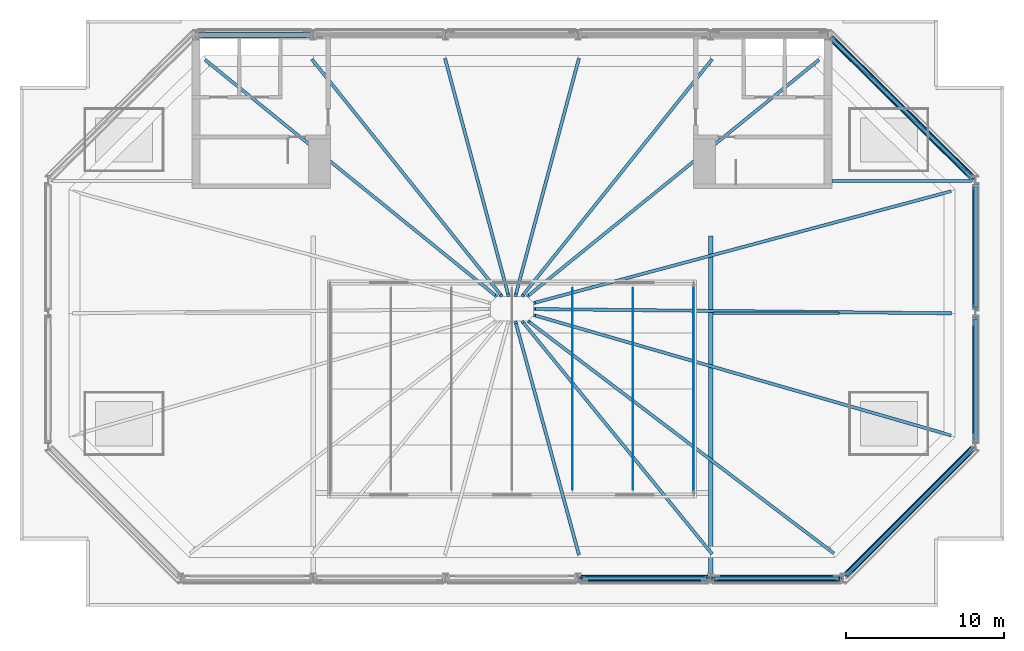
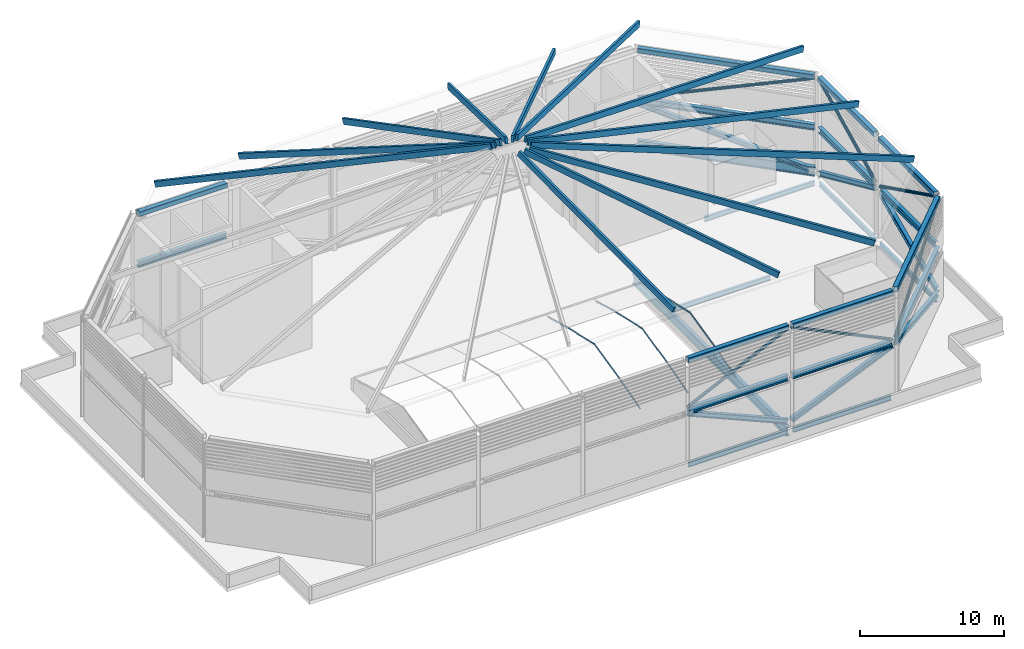
# One storey, part 4 of 22: 36 members, 22 beams, 2 elements without a shape of their own.
"""IFC4 building model written with IfcOpenShell, lengths in metres."""

from ifc_helpers import new_model, si_unit, direction, frame, origin, origin_2d, place, context, subcontext, project, spatial, rectangle, hollow_rectangle, hollow_circle, i_section, extrude, material, material_profile, profile_set, type_object, element, aggregate, save


model = new_model("IFC4")

# Units and contexts
model_context = context("Model", 3, precision=1e-05, world=origin(), true_north=direction((0.0, 1.0)))
body_context = subcontext(model_context, "Body", "Model", "MODEL_VIEW")
ifc_project = project(units=[si_unit("LENGTHUNIT", "METRE"), si_unit("AREAUNIT", "SQUARE_METRE"), si_unit("VOLUMEUNIT", "CUBIC_METRE"), si_unit("PLANEANGLEUNIT", "RADIAN"), si_unit("MASSUNIT", "GRAM", prefix="KILO")], contexts=[model_context])

# Site, building, storey
site_placement = place(None, origin())
site = spatial("IfcSite", under=ifc_project, at=site_placement, CompositionType="ELEMENT")
building_placement = place(site_placement, origin())
building = spatial("IfcBuilding", under=site, at=building_placement, Name="Saffron Gate Tower", CompositionType="ELEMENT")
storey_placement = place(building_placement, frame((0.0, 0.0, 314.85009765625)))
storey = spatial("IfcBuildingStorey", under=building, at=storey_placement, Name="Roof crown", CompositionType="ELEMENT", Elevation=314.85009765625)

# Beams
ifc_material_1 = material(Name="Structural steel S355", Category="steel")
ifc_material_profile_1 = material_profile(ifc_material_1, i_section(OverallWidth=0.300048828125, OverallDepth=0.7900390625, WebThickness=0.014892578125, FlangeThickness=0.028076171875, FilletRadius=0.030029296875, at=origin_2d()))
ifc_profile_set_1 = profile_set([ifc_material_profile_1], Name="Structural steel S355")
beam_type_1 = type_object("IfcBeamType", Name="B18 HEA 800", PredefinedType="BEAM", material=ifc_profile_set_1)
beam_1_placement = place(storey_placement, frame((100.199951171875, 40.449951171875, -0.695068359375), z_axis=(0.0, 1.0, 0.0), x_axis=(-1.0, 0.0, 0.0)))
element("IfcBeam", 1, at=beam_1_placement, inside=storey, type_object=beam_type_1, Name="B18 ATRIUM GIRDER", PredefinedType="BEAM", context=body_context, shape_type="SweptSolid", body=[
    extrude(i_section(OverallWidth=0.300048828125, OverallDepth=0.7900390625, WebThickness=0.014892578125, FlangeThickness=0.028076171875, FilletRadius=0.030029296875, at=origin_2d()), origin(), (0.0, 0.0, 1.0), 21.449951171875),
])
ifc_material_profile_2 = material_profile(ifc_material_1, i_section(OverallWidth=0.179931640625, OverallDepth=0.39990234375, WebThickness=0.008544921875, FlangeThickness=0.013427734375, FilletRadius=0.02099609375, at=origin_2d()))
ifc_profile_set_2 = profile_set([ifc_material_profile_2], Name="Structural steel S355")
beam_type_2 = type_object("IfcBeamType", Name="B4 IPE 400", PredefinedType="BEAM", material=ifc_profile_set_2)
beam_2_placement = place(storey_placement, frame((108.35009765625, 57.0, -0.5), z_axis=(-1.0, 0.0, 0.0), x_axis=(0.0, -1.0, 0.0)))
element("IfcBeam", 2, at=beam_2_placement, inside=storey, type_object=beam_type_2, Name="B4 CORE TIE BEAM", PredefinedType="BEAM", context=body_context, shape_type="SweptSolid", body=[
    extrude(i_section(OverallWidth=0.179931640625, OverallDepth=0.39990234375, WebThickness=0.008544921875, FlangeThickness=0.013427734375, FilletRadius=0.02099609375, at=origin_2d()), origin(), (0.0, 0.0, 1.0), 8.0),
])
beam_3_placement = place(storey_placement, frame((116.75, 65.39990234375, -0.5), z_axis=(-1.0, 0.0, 0.0), x_axis=(0.0, -1.0, 0.0)))
element("IfcBeam", 3, at=beam_3_placement, inside=storey, type_object=beam_type_2, Name="B4 CORE TIE BEAM", PredefinedType="BEAM", context=body_context, shape_type="SweptSolid", body=[
    extrude(i_section(OverallWidth=0.179931640625, OverallDepth=0.39990234375, WebThickness=0.008544921875, FlangeThickness=0.013427734375, FilletRadius=0.02099609375, at=origin_2d()), origin(), (0.0, 0.0, 1.0), 8.85009765625),
])
ifc_material_profile_3 = material_profile(ifc_material_1, i_section(OverallWidth=0.179931640625, OverallDepth=0.39990234375, WebThickness=0.008544921875, FlangeThickness=0.013427734375, FilletRadius=0.02099609375, at=origin_2d()))
ifc_profile_set_3 = profile_set([ifc_material_profile_3], Name="Structural steel S355")
beam_type_3 = type_object("IfcBeamType", Name="B5 IPE 400", PredefinedType="SPANDREL", material=ifc_profile_set_3)
beam_4_placement = place(storey_placement, frame((92.050048828125, 40.199951171875, -0.5), z_axis=(1.0, 0.0, 0.0), x_axis=(0.0, 1.0, 0.0)))
element("IfcBeam", 4, at=beam_4_placement, inside=storey, type_object=beam_type_3, Name="B5 SPANDREL BEAM", PredefinedType="SPANDREL", context=body_context, shape_type="SweptSolid", body=[
    extrude(i_section(OverallWidth=0.179931640625, OverallDepth=0.39990234375, WebThickness=0.008544921875, FlangeThickness=0.013427734375, FilletRadius=0.02099609375, at=origin_2d()), origin(), (0.0, 0.0, 1.0), 7.89990234375),
])
beam_5_placement = place(storey_placement, frame((100.449951171875, 40.199951171875, -0.5), z_axis=(1.0, 0.0, 0.0), x_axis=(0.0, 1.0, 0.0)))
element("IfcBeam", 5, at=beam_5_placement, inside=storey, type_object=beam_type_3, Name="B5 SPANDREL BEAM", PredefinedType="SPANDREL", context=body_context, shape_type="SweptSolid", body=[
    extrude(i_section(OverallWidth=0.179931640625, OverallDepth=0.39990234375, WebThickness=0.008544921875, FlangeThickness=0.013427734375, FilletRadius=0.02099609375, at=origin_2d()), origin(), (0.0, 0.0, 1.0), 7.900146484375),
])
for number, where, z_axis, x_axis, name in (
    (6, (117.0, 48.85009765625, -0.5), (0.0, 1.0, 0.0), (-1.0, 0.0, 0.0), "B5 SPANDREL BEAM"),
    (7, (117.0, 57.25, -0.5), (0.0, 1.0, 0.0), (-1.0, 0.0, 0.0), "B5 SPANDREL BEAM"),
):
    element("IfcBeam", number, at=place(storey_placement, frame(where, z_axis=z_axis, x_axis=x_axis)), inside=storey, type_object=beam_type_3, Name=name, PredefinedType="SPANDREL", context=body_context, shape_type="SweptSolid", body=[
        extrude(i_section(OverallWidth=0.179931640625, OverallDepth=0.39990234375, WebThickness=0.008544921875, FlangeThickness=0.013427734375, FilletRadius=0.02099609375, at=origin_2d()), origin(), (0.0, 0.0, 1.0), 7.89990234375),
    ])

# Members
ifc_material_profile_4 = material_profile(ifc_material_1, hollow_circle(Radius=0.122314453125, WallThickness=0.010009765625, at=origin_2d()))
ifc_profile_set_4 = profile_set([ifc_material_profile_4], Name="Structural steel S355")
member_type_1 = type_object("IfcMemberType", Name="CF1 CHS 244.5x10", PredefinedType="BRACE", material=ifc_profile_set_4)
member_1_placement = place(storey_placement, frame((91.969970703125, 40.199951171875, 4.39990234375), z_axis=(0.902339488073, 0.0, 0.431026041283), x_axis=(0.0, 1.0, 0.0)))
element("IfcMember", 8, at=member_1_placement, inside=storey, type_object=member_type_1, Name="CF1 CROWN FRAME BRACE", PredefinedType="BRACE", context=body_context, shape_type="SweptSolid", body=[
    extrude(hollow_circle(Radius=0.122314453125, WallThickness=0.010009765625, at=origin_2d()), origin(), (0.0, 0.0, 1.0), 8.932373046875),
])
member_2_placement = place(storey_placement, frame((108.429931640625, 40.199951171875, 4.39990234375), z_axis=(-0.902334410047, 0.0, 0.431036671809), x_axis=(0.0, -1.0, 0.0)))
element("IfcMember", 9, at=member_2_placement, inside=storey, type_object=member_type_1, Name="CF1 CROWN FRAME BRACE", PredefinedType="BRACE", context=body_context, shape_type="SweptSolid", body=[
    extrude(hollow_circle(Radius=0.122314453125, WallThickness=0.010009765625, at=origin_2d()), origin(), (0.0, 0.0, 1.0), 8.93212890625),
])
member_3_placement = place(storey_placement, frame((108.76416015625, 40.364013671875, 4.39990234375), z_axis=(0.670023339584, 0.670023339584, 0.319589500491), x_axis=(-0.707106781187, 0.707106781187, 0.0)))
element("IfcMember", 10, at=member_3_placement, inside=storey, type_object=member_type_1, Name="CF1 CROWN FRAME BRACE", PredefinedType="BRACE", context=body_context, shape_type="SweptSolid", body=[
    extrude(hollow_circle(Radius=0.122314453125, WallThickness=0.010009765625, at=origin_2d()), origin(), (0.0, 0.0, 1.0), 12.047119140625),
])
for number, where, z_axis, x_axis, name in (
    (11, (117.0, 56.679931640625, 4.39990234375), (0.0, -0.895803904759, 0.444449506939), (1.0, 0.0, 0.0), "CF1 CROWN FRAME BRACE"),
    (12, (117.0, 57.320068359375, 4.39990234375), (0.0, 0.895803904759, 0.444449506939), (-1.0, 0.0, 0.0), "CF1 CROWN FRAME BRACE"),
):
    element("IfcMember", number, at=place(storey_placement, frame(where, z_axis=z_axis, x_axis=x_axis)), inside=storey, type_object=member_type_1, Name=name, PredefinedType="BRACE", context=body_context, shape_type="SweptSolid", body=[
        extrude(hollow_circle(Radius=0.122314453125, WallThickness=0.010009765625, at=origin_2d()), origin(), (0.0, 0.0, 1.0), 8.66259765625),
    ])
member_4_placement = place(storey_placement, frame((107.814208984375, 74.487548828125, 4.39990234375), z_axis=(0.680277193637, -0.673005341194, 0.290321805143), x_axis=(0.703296995209, 0.710896150313, 0.0)))
element("IfcMember", 13, at=member_4_placement, inside=storey, type_object=member_type_1, Name="CF1 CROWN FRAME BRACE", PredefinedType="BRACE", context=body_context, shape_type="SweptSolid", body=[
    extrude(hollow_circle(Radius=0.122314453125, WallThickness=0.010009765625, at=origin_2d()), origin(), (0.0, 0.0, 1.0), 13.261474609375),
])
ifc_material_profile_5 = material_profile(ifc_material_1, i_section(OverallWidth=0.300048828125, OverallDepth=0.39990234375, WebThickness=0.013427734375, FlangeThickness=0.02392578125, FilletRadius=0.027099609375, at=origin_2d()))
ifc_profile_set_5 = profile_set([ifc_material_profile_5], Name="Structural steel S355")
member_type_2 = type_object("IfcMemberType", Name="CF2 HEB 400", PredefinedType="BRACE", material=ifc_profile_set_5)
member_5_placement = place(storey_placement, frame((100.06005859375, 40.199951171875, 0.39990234375), z_axis=(-0.917791573619, 0.0, 0.397062498096), x_axis=(0.0, -1.0, 0.0)))
element("IfcMember", 14, at=member_5_placement, inside=storey, type_object=member_type_2, Name="CF2 CROWN FRAME BRACE", PredefinedType="BRACE", context=body_context, shape_type="SweptSolid", body=[
    extrude(i_section(OverallWidth=0.300048828125, OverallDepth=0.39990234375, WebThickness=0.013427734375, FlangeThickness=0.02392578125, FilletRadius=0.027099609375, at=origin_2d()), origin(), (0.0, 0.0, 1.0), 8.814697265625),
])
member_6_placement = place(storey_placement, frame((100.340087890625, 40.199951171875, 0.39990234375), z_axis=(0.9177872068, 0.0, 0.397072591643), x_axis=(0.0, 1.0, 0.0)))
element("IfcMember", 15, at=member_6_placement, inside=storey, type_object=member_type_2, Name="CF2 CROWN FRAME BRACE", PredefinedType="BRACE", context=body_context, shape_type="SweptSolid", body=[
    extrude(i_section(OverallWidth=0.300048828125, OverallDepth=0.39990234375, WebThickness=0.013427734375, FlangeThickness=0.02392578125, FilletRadius=0.027099609375, at=origin_2d()), origin(), (0.0, 0.0, 1.0), 8.814453125),
])
member_7_placement = place(storey_placement, frame((116.857177734375, 48.45703125, 0.39990234375), z_axis=(-0.676195794313, -0.676195794313, 0.292435455286), x_axis=(0.707106781187, -0.707106781187, 0.0)))
element("IfcMember", 16, at=member_7_placement, inside=storey, type_object=member_type_2, Name="CF2 CROWN FRAME BRACE", PredefinedType="BRACE", context=body_context, shape_type="SweptSolid", body=[
    extrude(i_section(OverallWidth=0.300048828125, OverallDepth=0.39990234375, WebThickness=0.013427734375, FlangeThickness=0.02392578125, FilletRadius=0.027099609375, at=origin_2d()), origin(), (0.0, 0.0, 1.0), 11.968505859375),
])
for number, where, z_axis, x_axis, name in (
    (17, (117.0, 48.889892578125, 0.39990234375), (0.0, 0.912163120456, 0.409827331543), (-1.0, 0.0, 0.0), "CF2 CROWN FRAME BRACE"),
    (18, (117.0, 65.110107421875, 0.39990234375), (0.0, -0.912163120456, 0.409827331543), (1.0, 0.0, 0.0), "CF2 CROWN FRAME BRACE"),
):
    element("IfcMember", number, at=place(storey_placement, frame(where, z_axis=z_axis, x_axis=x_axis)), inside=storey, type_object=member_type_2, Name=name, PredefinedType="BRACE", context=body_context, shape_type="SweptSolid", body=[
        extrude(i_section(OverallWidth=0.300048828125, OverallDepth=0.39990234375, WebThickness=0.013427734375, FlangeThickness=0.02392578125, FilletRadius=0.027099609375, at=origin_2d()), origin(), (0.0, 0.0, 1.0), 8.540283203125),
    ])
member_8_placement = place(storey_placement, frame((116.857177734375, 65.54150390625, 0.39990234375), z_axis=(-0.685433424671, 0.678086851518, 0.265290863285), x_axis=(-0.703286720156, -0.710906315383, 0.0)))
element("IfcMember", 19, at=member_8_placement, inside=storey, type_object=member_type_2, Name="CF2 CROWN FRAME BRACE", PredefinedType="BRACE", context=body_context, shape_type="SweptSolid", body=[
    extrude(i_section(OverallWidth=0.300048828125, OverallDepth=0.39990234375, WebThickness=0.013427734375, FlangeThickness=0.02392578125, FilletRadius=0.027099609375, at=origin_2d()), origin(), (0.0, 0.0, 1.0), 13.193115234375),
])

# Beams
ifc_material_profile_6 = material_profile(ifc_material_1, hollow_rectangle(XDim=0.39990234375, YDim=0.39990234375, WallThickness=0.01611328125, InnerFilletRadius=0.031982421875, OuterFilletRadius=0.048095703125, at=origin_2d()))
ifc_profile_set_6 = profile_set([ifc_material_profile_6], Name="Structural steel S355")
beam_type_4 = type_object("IfcBeamType", Name="CF4 SHS 400x400x16", PredefinedType="BEAM", material=ifc_profile_set_6)
beam_6_placement = place(storey_placement, frame((91.969970703125, 40.199951171875, 8.449951171875), z_axis=(1.0, 0.0, 0.0), x_axis=(0.0, 1.0, 0.0)))
element("IfcBeam", 20, at=beam_6_placement, inside=storey, type_object=beam_type_4, Name="CF4 CROWN FRAME TOP RING BEAM", PredefinedType="BEAM", context=body_context, shape_type="SweptSolid", body=[
    extrude(hollow_rectangle(XDim=0.39990234375, YDim=0.39990234375, WallThickness=0.01611328125, InnerFilletRadius=0.031982421875, OuterFilletRadius=0.048095703125, at=origin_2d()), origin(), (0.0, 0.0, 1.0), 8.06005859375),
])
beam_7_placement = place(storey_placement, frame((100.3701171875, 40.199951171875, 8.449951171875), z_axis=(1.0, 0.0, 0.0), x_axis=(0.0, 1.0, 0.0)))
element("IfcBeam", 21, at=beam_7_placement, inside=storey, type_object=beam_type_4, Name="CF4 CROWN FRAME TOP RING BEAM", PredefinedType="BEAM", context=body_context, shape_type="SweptSolid", body=[
    extrude(hollow_rectangle(XDim=0.39990234375, YDim=0.39990234375, WallThickness=0.01611328125, InnerFilletRadius=0.031982421875, OuterFilletRadius=0.048095703125, at=origin_2d()), origin(), (0.0, 0.0, 1.0), 8.059814453125),
])
beam_8_placement = place(storey_placement, frame((108.76416015625, 40.364013671875, 8.449951171875), z_axis=(0.707106781187, 0.707106781187, 0.0), x_axis=(-0.707106781187, 0.707106781187, 0.0)))
element("IfcBeam", 22, at=beam_8_placement, inside=storey, type_object=beam_type_4, Name="CF4 CROWN FRAME TOP RING BEAM", PredefinedType="BEAM", context=body_context, shape_type="SweptSolid", body=[
    extrude(hollow_rectangle(XDim=0.39990234375, YDim=0.39990234375, WallThickness=0.01611328125, InnerFilletRadius=0.031982421875, OuterFilletRadius=0.048095703125, at=origin_2d()), origin(), (0.0, 0.0, 1.0), 11.415283203125),
])
for number, where, z_axis, x_axis, name in (
    (23, (117.0, 48.919921875, 8.449951171875), (0.0, 1.0, 0.0), (-1.0, 0.0, 0.0), "CF4 CROWN FRAME TOP RING BEAM"),
    (24, (117.0, 57.320068359375, 8.449951171875), (0.0, 1.0, 0.0), (-1.0, 0.0, 0.0), "CF4 CROWN FRAME TOP RING BEAM"),
):
    element("IfcBeam", number, at=place(storey_placement, frame(where, z_axis=z_axis, x_axis=x_axis)), inside=storey, type_object=beam_type_4, Name=name, PredefinedType="BEAM", context=body_context, shape_type="SweptSolid", body=[
        extrude(hollow_rectangle(XDim=0.39990234375, YDim=0.39990234375, WallThickness=0.01611328125, InnerFilletRadius=0.031982421875, OuterFilletRadius=0.048095703125, at=origin_2d()), origin(), (0.0, 0.0, 1.0), 7.760009765625),
    ])
beam_9_placement = place(storey_placement, frame((116.835693359375, 65.5625, 8.449951171875), z_axis=(-0.710896150313, 0.703296995209, 0.0), x_axis=(-0.703296995209, -0.710896150313, 0.0)))
element("IfcBeam", 25, at=beam_9_placement, inside=storey, type_object=beam_type_4, Name="CF4 CROWN FRAME TOP RING BEAM", PredefinedType="BEAM", context=body_context, shape_type="SweptSolid", body=[
    extrude(hollow_rectangle(XDim=0.39990234375, YDim=0.39990234375, WallThickness=0.01611328125, InnerFilletRadius=0.031982421875, OuterFilletRadius=0.048095703125, at=origin_2d()), origin(), (0.0, 0.0, 1.0), 12.690185546875),
])
beam_10_placement = place(storey_placement, frame((74.830078125, 74.64990234375, 8.449951171875), z_axis=(-1.0, 0.0, 0.0), x_axis=(0.0, -1.0, 0.0)))
element("IfcBeam", 26, at=beam_10_placement, inside=storey, type_object=beam_type_4, Name="CF4 CROWN FRAME TOP RING BEAM", PredefinedType="BEAM", context=body_context, shape_type="SweptSolid", body=[
    extrude(hollow_rectangle(XDim=0.39990234375, YDim=0.39990234375, WallThickness=0.01611328125, InnerFilletRadius=0.031982421875, OuterFilletRadius=0.048095703125, at=origin_2d()), origin(), (0.0, 0.0, 1.0), 7.110107421875),
])
ifc_material_profile_7 = material_profile(ifc_material_1, i_section(OverallWidth=0.300048828125, OverallDepth=0.5, WebThickness=0.014404296875, FlangeThickness=0.028076171875, FilletRadius=0.027099609375, at=origin_2d()))
ifc_profile_set_7 = profile_set([ifc_material_profile_7], Name="Structural steel S355")
beam_type_5 = type_object("IfcBeamType", Name="CF5 HEB 500", PredefinedType="BEAM", material=ifc_profile_set_7)
beam_11_placement = place(storey_placement, frame((91.969970703125, 40.199951171875, 4.14990234375), z_axis=(1.0, 0.0, 0.0), x_axis=(0.0, 1.0, 0.0)))
element("IfcBeam", 27, at=beam_11_placement, inside=storey, type_object=beam_type_5, Name="CF5 CROWN FRAME MID RING BEAM", PredefinedType="BEAM", context=body_context, shape_type="SweptSolid", body=[
    extrude(i_section(OverallWidth=0.300048828125, OverallDepth=0.5, WebThickness=0.014404296875, FlangeThickness=0.028076171875, FilletRadius=0.027099609375, at=origin_2d()), origin(), (0.0, 0.0, 1.0), 8.06005859375),
])
beam_12_placement = place(storey_placement, frame((100.3701171875, 40.199951171875, 4.14990234375), z_axis=(1.0, 0.0, 0.0), x_axis=(0.0, 1.0, 0.0)))
element("IfcBeam", 28, at=beam_12_placement, inside=storey, type_object=beam_type_5, Name="CF5 CROWN FRAME MID RING BEAM", PredefinedType="BEAM", context=body_context, shape_type="SweptSolid", body=[
    extrude(i_section(OverallWidth=0.300048828125, OverallDepth=0.5, WebThickness=0.014404296875, FlangeThickness=0.028076171875, FilletRadius=0.027099609375, at=origin_2d()), origin(), (0.0, 0.0, 1.0), 8.059814453125),
])
beam_13_placement = place(storey_placement, frame((108.76416015625, 40.364013671875, 4.14990234375), z_axis=(0.707106781187, 0.707106781187, 0.0), x_axis=(-0.707106781187, 0.707106781187, 0.0)))
element("IfcBeam", 29, at=beam_13_placement, inside=storey, type_object=beam_type_5, Name="CF5 CROWN FRAME MID RING BEAM", PredefinedType="BEAM", context=body_context, shape_type="SweptSolid", body=[
    extrude(i_section(OverallWidth=0.300048828125, OverallDepth=0.5, WebThickness=0.014404296875, FlangeThickness=0.028076171875, FilletRadius=0.027099609375, at=origin_2d()), origin(), (0.0, 0.0, 1.0), 11.415283203125),
])
for number, where, z_axis, x_axis, name in (
    (30, (117.0, 48.919921875, 4.14990234375), (0.0, 1.0, 0.0), (-1.0, 0.0, 0.0), "CF5 CROWN FRAME MID RING BEAM"),
    (31, (117.0, 57.320068359375, 4.14990234375), (0.0, 1.0, 0.0), (-1.0, 0.0, 0.0), "CF5 CROWN FRAME MID RING BEAM"),
):
    element("IfcBeam", number, at=place(storey_placement, frame(where, z_axis=z_axis, x_axis=x_axis)), inside=storey, type_object=beam_type_5, Name=name, PredefinedType="BEAM", context=body_context, shape_type="SweptSolid", body=[
        extrude(i_section(OverallWidth=0.300048828125, OverallDepth=0.5, WebThickness=0.014404296875, FlangeThickness=0.028076171875, FilletRadius=0.027099609375, at=origin_2d()), origin(), (0.0, 0.0, 1.0), 7.760009765625),
    ])
beam_14_placement = place(storey_placement, frame((116.835693359375, 65.5625, 4.14990234375), z_axis=(-0.710896150313, 0.703296995209, 0.0), x_axis=(-0.703296995209, -0.710896150313, 0.0)))
element("IfcBeam", 32, at=beam_14_placement, inside=storey, type_object=beam_type_5, Name="CF5 CROWN FRAME MID RING BEAM", PredefinedType="BEAM", context=body_context, shape_type="SweptSolid", body=[
    extrude(i_section(OverallWidth=0.300048828125, OverallDepth=0.5, WebThickness=0.014404296875, FlangeThickness=0.028076171875, FilletRadius=0.027099609375, at=origin_2d()), origin(), (0.0, 0.0, 1.0), 12.690185546875),
])
beam_15_placement = place(storey_placement, frame((74.830078125, 74.64990234375, 4.14990234375), z_axis=(-1.0, 0.0, 0.0), x_axis=(0.0, -1.0, 0.0)))
element("IfcBeam", 33, at=beam_15_placement, inside=storey, type_object=beam_type_5, Name="CF5 CROWN FRAME MID RING BEAM", PredefinedType="BEAM", context=body_context, shape_type="SweptSolid", body=[
    extrude(i_section(OverallWidth=0.300048828125, OverallDepth=0.5, WebThickness=0.014404296875, FlangeThickness=0.028076171875, FilletRadius=0.027099609375, at=origin_2d()), origin(), (0.0, 0.0, 1.0), 7.110107421875),
])
ifc_material_profile_8 = material_profile(ifc_material_1, i_section(OverallWidth=0.300048828125, OverallDepth=0.800048828125, WebThickness=0.017578125, FlangeThickness=0.032958984375, FilletRadius=0.030029296875, at=origin_2d()))
ifc_profile_set_8 = profile_set([ifc_material_profile_8], Name="Structural steel S355")
beam_type_6 = type_object("IfcBeamType", Name="CF6 HEB 800", PredefinedType="BEAM", material=ifc_profile_set_8)
beam_16_placement = place(storey_placement, frame((116.857177734375, 65.54150390625, 0.39990234375), z_axis=(-0.710906961796, 0.703286066739, 0.0), x_axis=(-0.703286066739, -0.710906961796, 0.0)))
element("IfcBeam", 34, at=beam_16_placement, inside=storey, type_object=beam_type_6, Name="CF6 CROWN FRAME SILL BEAM", PredefinedType="BEAM", context=body_context, shape_type="SweptSolid", body=[
    extrude(i_section(OverallWidth=0.300048828125, OverallDepth=0.800048828125, WebThickness=0.017578125, FlangeThickness=0.032958984375, FilletRadius=0.030029296875, at=origin_2d()), origin(), (0.0, 0.0, 1.0), 12.750244140625),
])

# Curtain wall, members
ifc_material_2 = material(Name="Aluminium, bronze anodised", Category="aluminium")
curtain_wall_type_1 = type_object("IfcCurtainWallType", Name="DMS1 glass roof system", PredefinedType="NOTDEFINED", material=ifc_material_2)
curtain_wall_1_placement = place(storey_placement, origin())
curtain_wall_1 = element("IfcCurtainWall", 35, at=curtain_wall_1_placement, inside=storey, type_object=curtain_wall_type_1, Name="DMS1 glass roof system", PredefinedType="NOTDEFINED")
ifc_material_profile_9 = material_profile(ifc_material_2, rectangle(XDim=0.199951171875, YDim=0.5, at=origin_2d()))
ifc_profile_set_9 = profile_set([ifc_material_profile_9], Name="Aluminium, bronze anodised")
member_type_3 = type_object("IfcMemberType", Name="DM3 hip rib", PredefinedType="MULLION", material=ifc_profile_set_9)
member_9_placement = place(storey_placement, frame((91.823486328125, 41.763671875, 11.7705078125), z_axis=(-0.245222537935, 0.901064911467, 0.357698102052), x_axis=(-0.964905695662, -0.262596645977, 0.0)))
member_9 = element("IfcMember", 36, at=member_9_placement, type_object=member_type_3, Name="GLASS ROOF hip rib", PredefinedType="MULLION", context=body_context, shape_type="SweptSolid", body=[
    extrude(rectangle(XDim=0.199951171875, YDim=0.5, at=origin_2d()), origin(), (0.0, 0.0, 1.0), 16.27099609375),
])
member_10_placement = place(storey_placement, frame((100.24658203125, 41.793212890625, 11.776123046875), z_axis=(-0.604503724399, 0.740399623771, 0.29391094622), x_axis=(-0.774612063996, -0.632436676919, 0.0)))
member_10 = element("IfcMember", 37, at=member_10_placement, type_object=member_type_3, Name="GLASS ROOF hip rib", PredefinedType="MULLION", context=body_context, shape_type="SweptSolid", body=[
    extrude(rectangle(XDim=0.199951171875, YDim=0.5, at=origin_2d()), origin(), (0.0, 0.0, 1.0), 19.80126953125),
])
member_11_placement = place(storey_placement, frame((107.962890625, 41.814697265625, 11.781982421875), z_axis=(-0.774298231969, 0.588174782445, 0.233479492172), x_axis=(-0.604892980203, -0.796306776626, 0.0)))
member_11 = element("IfcMember", 38, at=member_11_placement, type_object=member_type_3, Name="GLASS ROOF hip rib", PredefinedType="MULLION", context=body_context, shape_type="SweptSolid", body=[
    extrude(rectangle(XDim=0.199951171875, YDim=0.5, at=origin_2d()), origin(), (0.0, 0.0, 1.0), 24.926513671875),
])
member_12_placement = place(storey_placement, frame((115.39990234375, 49.26904296875, 11.783447265625), z_axis=(-0.939957782097, 0.270955685568, 0.207514781002), x_axis=(-0.276985130473, -0.960874204824, 0.0)))
member_12 = element("IfcMember", 39, at=member_12_placement, type_object=member_type_3, Name="GLASS ROOF hip rib", PredefinedType="MULLION", context=body_context, shape_type="SweptSolid", body=[
    extrude(rectangle(XDim=0.199951171875, YDim=0.5, at=origin_2d()), origin(), (0.0, 0.0, 1.0), 28.046630859375),
])
member_13_placement = place(storey_placement, frame((115.40380859375, 56.99951171875, 11.783203125), z_axis=(-0.976439530611, 0.009947059489, 0.215561821918), x_axis=(-0.010186543132, -0.999948115824, 0.0)))
member_13 = element("IfcMember", 40, at=member_13_placement, type_object=member_type_3, Name="GLASS ROOF hip rib", PredefinedType="MULLION", context=body_context, shape_type="SweptSolid", body=[
    extrude(rectangle(XDim=0.199951171875, YDim=0.5, at=origin_2d()), origin(), (0.0, 0.0, 1.0), 26.998291015625),
])
member_14_placement = place(storey_placement, frame((115.400390625, 64.724853515625, 11.783447265625), z_axis=(-0.944742376587, -0.252903039772, 0.208571077462), x_axis=(0.258590158448, -0.965987127219, 0.0)))
member_14 = element("IfcMember", 41, at=member_14_placement, type_object=member_type_3, Name="GLASS ROOF hip rib", PredefinedType="MULLION", context=body_context, shape_type="SweptSolid", body=[
    extrude(rectangle(XDim=0.199951171875, YDim=0.5, at=origin_2d()), origin(), (0.0, 0.0, 1.0), 27.904541015625),
])
member_15_placement = place(storey_placement, frame((107.01806640625, 73.03759765625, 11.781494140625), z_axis=(-0.754140196816, -0.61187413334, 0.238500751561), x_axis=(0.630056095119, -0.776549623014, 0.0)))
member_15 = element("IfcMember", 42, at=member_15_placement, type_object=member_type_3, Name="GLASS ROOF hip rib", PredefinedType="MULLION", context=body_context, shape_type="SweptSolid", body=[
    extrude(rectangle(XDim=0.199951171875, YDim=0.5, at=origin_2d()), origin(), (0.0, 0.0, 1.0), 24.40283203125),
])
member_16_placement = place(storey_placement, frame((100.24560546875, 73.056884765625, 11.7763671875), z_axis=(-0.598431574862, -0.746471072547, 0.290964925824), x_axis=(0.780228663998, -0.625494389964, 0.0)))
member_16 = element("IfcMember", 43, at=member_16_placement, type_object=member_type_3, Name="GLASS ROOF hip rib", PredefinedType="MULLION", context=body_context, shape_type="SweptSolid", body=[
    extrude(rectangle(XDim=0.199951171875, YDim=0.5, at=origin_2d()), origin(), (0.0, 0.0, 1.0), 20.002685546875),
])
member_17_placement = place(storey_placement, frame((91.82275390625, 73.085205078125, 11.77099609375), z_axis=(-0.241600349922, -0.904120161592, 0.352414534773), x_axis=(0.96610135863, -0.258163058652, 0.0)))
member_17 = element("IfcMember", 44, at=member_17_placement, type_object=member_type_3, Name="GLASS ROOF hip rib", PredefinedType="MULLION", context=body_context, shape_type="SweptSolid", body=[
    extrude(rectangle(XDim=0.199951171875, YDim=0.5, at=origin_2d()), origin(), (0.0, 0.0, 1.0), 16.514892578125),
])
member_18_placement = place(storey_placement, frame((83.377197265625, 73.085205078125, 11.77099609375), z_axis=(0.241600349922, -0.904120161592, 0.352414534773), x_axis=(0.96610135863, 0.258163058652, 0.0)))
member_18 = element("IfcMember", 45, at=member_18_placement, type_object=member_type_3, Name="GLASS ROOF hip rib", PredefinedType="MULLION", context=body_context, shape_type="SweptSolid", body=[
    extrude(rectangle(XDim=0.199951171875, YDim=0.5, at=origin_2d()), origin(), (0.0, 0.0, 1.0), 16.514892578125),
])
member_19_placement = place(storey_placement, frame((74.95458984375, 73.056884765625, 11.7763671875), z_axis=(0.598423740367, -0.746476524855, 0.290967051064), x_axis=(0.780234889976, 0.625486623729, 0.0)))
member_19 = element("IfcMember", 46, at=member_19_placement, type_object=member_type_3, Name="GLASS ROOF hip rib", PredefinedType="MULLION", context=body_context, shape_type="SweptSolid", body=[
    extrude(rectangle(XDim=0.199951171875, YDim=0.5, at=origin_2d()), origin(), (0.0, 0.0, 1.0), 20.00244140625),
])
member_20_placement = place(storey_placement, frame((68.181884765625, 73.03759765625, 11.781494140625), z_axis=(0.754144511496, -0.61186951683, 0.238498952104), x_axis=(0.630051054719, 0.776553712532, 0.0)))
member_20 = element("IfcMember", 47, at=member_20_placement, type_object=member_type_3, Name="GLASS ROOF hip rib", PredefinedType="MULLION", context=body_context, shape_type="SweptSolid", body=[
    extrude(rectangle(XDim=0.199951171875, YDim=0.5, at=origin_2d()), origin(), (0.0, 0.0, 1.0), 24.40283203125),
])
aggregate(curtain_wall_1, [member_9, member_10, member_11, member_12, member_13, member_14, member_15, member_16, member_17, member_18, member_19, member_20])

curtain_wall_type_2 = type_object("IfcCurtainWallType", Name="SKS1 skylight glazing system", PredefinedType="NOTDEFINED", material=ifc_material_2)
curtain_wall_2_placement = place(storey_placement, origin())
curtain_wall_2 = element("IfcCurtainWall", 48, at=curtain_wall_2_placement, inside=storey, type_object=curtain_wall_type_2, Name="SKS1 skylight glazing system", PredefinedType="NOTDEFINED")
ifc_material_profile_10 = material_profile(ifc_material_2, rectangle(XDim=0.050048828125, YDim=0.080078125, at=origin_2d()))
ifc_profile_set_10 = profile_set([ifc_material_profile_10], Name="Aluminium, bronze anodised")
member_type_4 = type_object("IfcMemberType", Name="SK2 glazing bar", PredefinedType="MULLION", material=ifc_profile_set_10)
member_21_placement = place(storey_placement, frame((91.436767578125, 45.80859375, 1.0576171875), z_axis=(0.0, 0.962655620187, 0.270728936248), x_axis=(-1.0, 0.0, 0.0)))
member_21 = element("IfcMember", 49, at=member_21_placement, type_object=member_type_4, Name="SKYLIGHT glazing bar", PredefinedType="MULLION", context=body_context, shape_type="SweptSolid", body=[
    extrude(rectangle(XDim=0.050048828125, YDim=0.080078125, at=origin_2d()), origin(), (0.0, 0.0, 1.0), 2.97412109375),
])
member_22_placement = place(storey_placement, frame((95.2734375, 45.80859375, 1.0576171875), z_axis=(0.0, 0.962655620187, 0.270728936248), x_axis=(-1.0, 0.0, 0.0)))
member_22 = element("IfcMember", 50, at=member_22_placement, type_object=member_type_4, Name="SKYLIGHT glazing bar", PredefinedType="MULLION", context=body_context, shape_type="SweptSolid", body=[
    extrude(rectangle(XDim=0.050048828125, YDim=0.080078125, at=origin_2d()), origin(), (0.0, 0.0, 1.0), 2.97412109375),
])
member_23_placement = place(storey_placement, frame((99.110107421875, 45.80859375, 1.0576171875), z_axis=(0.0, 0.962655620187, 0.270728936248), x_axis=(-1.0, 0.0, 0.0)))
member_23 = element("IfcMember", 51, at=member_23_placement, type_object=member_type_4, Name="SKYLIGHT glazing bar", PredefinedType="MULLION", context=body_context, shape_type="SweptSolid", body=[
    extrude(rectangle(XDim=0.050048828125, YDim=0.080078125, at=origin_2d()), origin(), (0.0, 0.0, 1.0), 2.97412109375),
])
member_24_placement = place(storey_placement, frame((91.436767578125, 48.66748046875, 1.86181640625), z_axis=(0.0, 0.975533909094, 0.219849021395), x_axis=(-1.0, 0.0, 0.0)))
member_24 = element("IfcMember", 52, at=member_24_placement, type_object=member_type_4, Name="SKYLIGHT glazing bar", PredefinedType="MULLION", context=body_context, shape_type="SweptSolid", body=[
    extrude(rectangle(XDim=0.050048828125, YDim=0.080078125, at=origin_2d()), origin(), (0.0, 0.0, 1.0), 3.63916015625),
])
member_25_placement = place(storey_placement, frame((95.2734375, 48.66748046875, 1.86181640625), z_axis=(0.0, 0.975533909094, 0.219849021395), x_axis=(-1.0, 0.0, 0.0)))
member_25 = element("IfcMember", 53, at=member_25_placement, type_object=member_type_4, Name="SKYLIGHT glazing bar", PredefinedType="MULLION", context=body_context, shape_type="SweptSolid", body=[
    extrude(rectangle(XDim=0.050048828125, YDim=0.080078125, at=origin_2d()), origin(), (0.0, 0.0, 1.0), 3.63916015625),
])
member_26_placement = place(storey_placement, frame((99.110107421875, 48.66748046875, 1.86181640625), z_axis=(0.0, 0.975533909094, 0.219849021395), x_axis=(-1.0, 0.0, 0.0)))
member_26 = element("IfcMember", 54, at=member_26_placement, type_object=member_type_4, Name="SKYLIGHT glazing bar", PredefinedType="MULLION", context=body_context, shape_type="SweptSolid", body=[
    extrude(rectangle(XDim=0.050048828125, YDim=0.080078125, at=origin_2d()), origin(), (0.0, 0.0, 1.0), 3.63916015625),
])
member_27_placement = place(storey_placement, frame((91.436767578125, 58.59130859375, 1.0576171875), z_axis=(0.0, -0.962655620187, 0.270728936248), x_axis=(1.0, 0.0, 0.0)))
member_27 = element("IfcMember", 55, at=member_27_placement, type_object=member_type_4, Name="SKYLIGHT glazing bar", PredefinedType="MULLION", context=body_context, shape_type="SweptSolid", body=[
    extrude(rectangle(XDim=0.050048828125, YDim=0.080078125, at=origin_2d()), origin(), (0.0, 0.0, 1.0), 2.97412109375),
])
member_28_placement = place(storey_placement, frame((95.2734375, 58.59130859375, 1.0576171875), z_axis=(0.0, -0.962655620187, 0.270728936248), x_axis=(1.0, 0.0, 0.0)))
member_28 = element("IfcMember", 56, at=member_28_placement, type_object=member_type_4, Name="SKYLIGHT glazing bar", PredefinedType="MULLION", context=body_context, shape_type="SweptSolid", body=[
    extrude(rectangle(XDim=0.050048828125, YDim=0.080078125, at=origin_2d()), origin(), (0.0, 0.0, 1.0), 2.97412109375),
])
member_29_placement = place(storey_placement, frame((99.110107421875, 58.59130859375, 1.0576171875), z_axis=(0.0, -0.962655620187, 0.270728936248), x_axis=(1.0, 0.0, 0.0)))
member_29 = element("IfcMember", 57, at=member_29_placement, type_object=member_type_4, Name="SKYLIGHT glazing bar", PredefinedType="MULLION", context=body_context, shape_type="SweptSolid", body=[
    extrude(rectangle(XDim=0.050048828125, YDim=0.080078125, at=origin_2d()), origin(), (0.0, 0.0, 1.0), 2.97412109375),
])
member_30_placement = place(storey_placement, frame((91.436767578125, 55.732421875, 1.86181640625), z_axis=(0.0, -0.975533909094, 0.219849021395), x_axis=(1.0, 0.0, 0.0)))
member_30 = element("IfcMember", 58, at=member_30_placement, type_object=member_type_4, Name="SKYLIGHT glazing bar", PredefinedType="MULLION", context=body_context, shape_type="SweptSolid", body=[
    extrude(rectangle(XDim=0.050048828125, YDim=0.080078125, at=origin_2d()), origin(), (0.0, 0.0, 1.0), 3.63916015625),
])
member_31_placement = place(storey_placement, frame((95.2734375, 55.732421875, 1.86181640625), z_axis=(0.0, -0.975533909094, 0.219849021395), x_axis=(1.0, 0.0, 0.0)))
member_31 = element("IfcMember", 59, at=member_31_placement, type_object=member_type_4, Name="SKYLIGHT glazing bar", PredefinedType="MULLION", context=body_context, shape_type="SweptSolid", body=[
    extrude(rectangle(XDim=0.050048828125, YDim=0.080078125, at=origin_2d()), origin(), (0.0, 0.0, 1.0), 3.63916015625),
])
member_32_placement = place(storey_placement, frame((99.110107421875, 55.732421875, 1.86181640625), z_axis=(0.0, -0.975533909094, 0.219849021395), x_axis=(1.0, 0.0, 0.0)))
member_32 = element("IfcMember", 60, at=member_32_placement, type_object=member_type_4, Name="SKYLIGHT glazing bar", PredefinedType="MULLION", context=body_context, shape_type="SweptSolid", body=[
    extrude(rectangle(XDim=0.050048828125, YDim=0.080078125, at=origin_2d()), origin(), (0.0, 0.0, 1.0), 3.63916015625),
])
aggregate(curtain_wall_2, [member_21, member_22, member_23, member_24, member_25, member_26, member_27, member_28, member_29, member_30, member_31, member_32])

save(model, "model.ifc")
